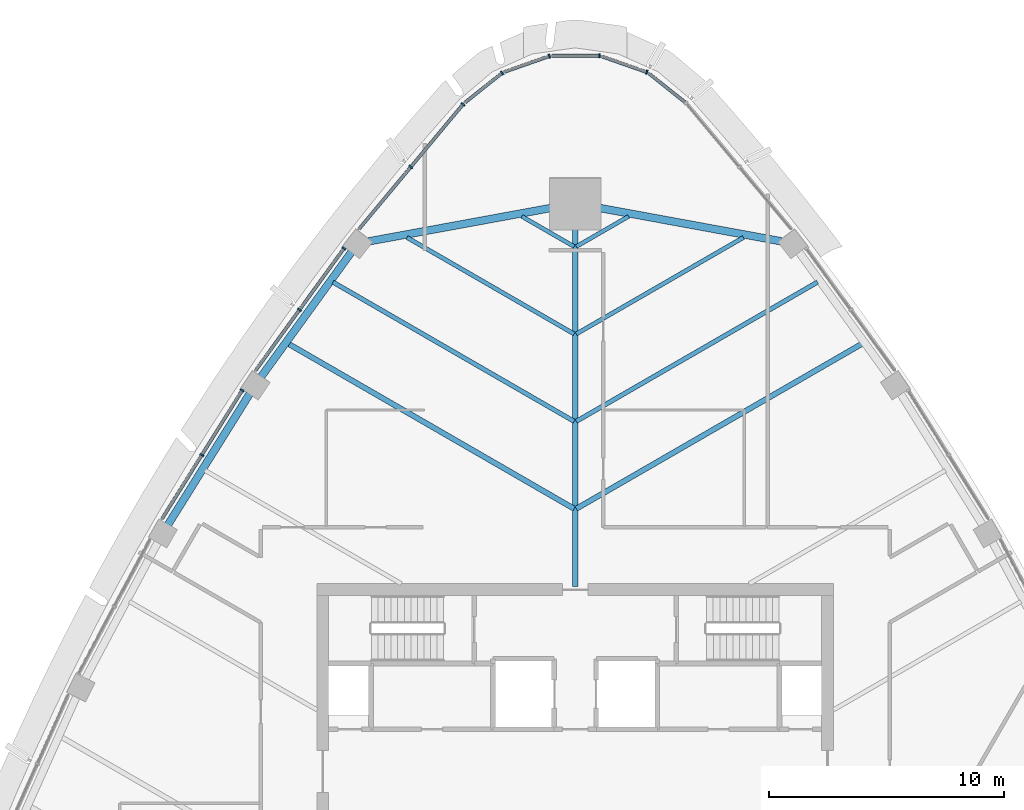
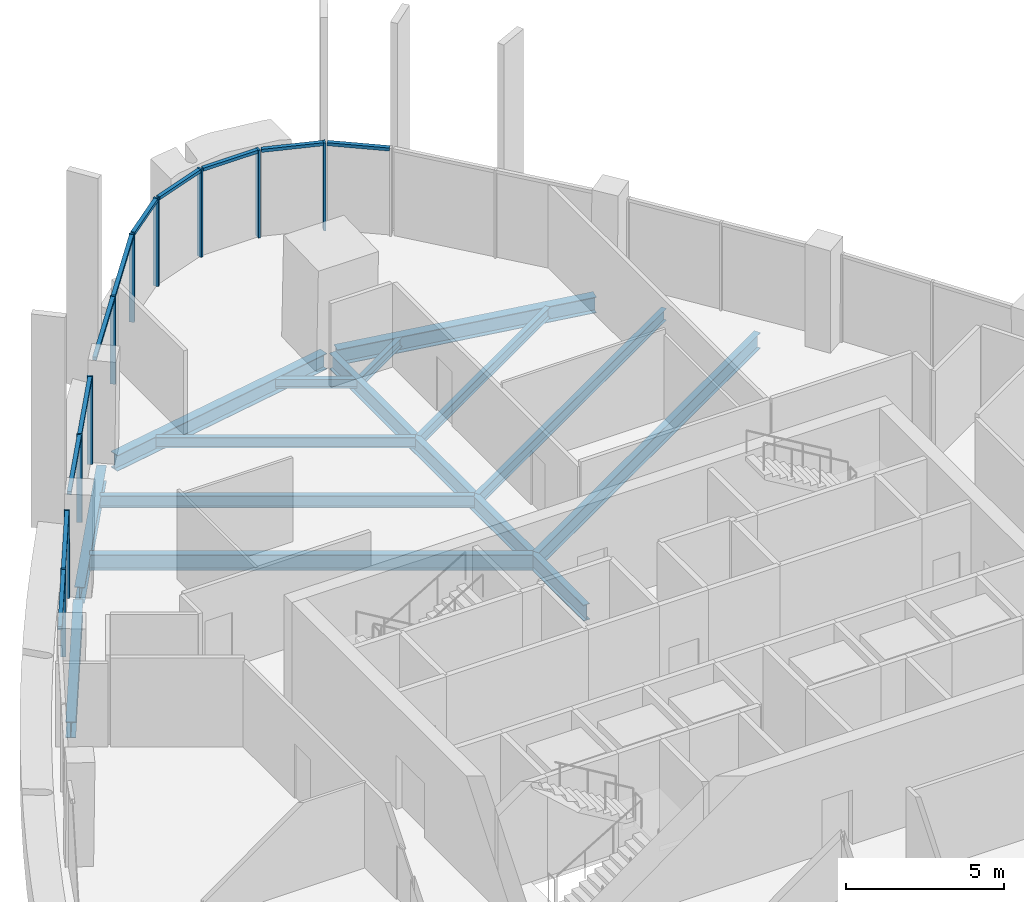
# One storey, part 5 of 18: 21 members, 13 beams, 8 elements without a shape of their own.
"""IFC4 building model written with IfcOpenShell, lengths in metres."""

from ifc_helpers import new_model, si_unit, direction, frame, origin, origin_2d, place, context, subcontext, project, spatial, rectangle, i_section, extrude, material, layer, layer_set, material_profile, profile_set, type_object, element, aggregate, save


model = new_model("IFC4")

# Units and contexts
model_context = context("Model", 3, precision=1e-05, world=origin(), true_north=direction((0.0, 1.0)))
body_context = subcontext(model_context, "Body", "Model", "MODEL_VIEW")
ifc_project = project(units=[si_unit("LENGTHUNIT", "METRE"), si_unit("AREAUNIT", "SQUARE_METRE"), si_unit("VOLUMEUNIT", "CUBIC_METRE"), si_unit("PLANEANGLEUNIT", "RADIAN"), si_unit("MASSUNIT", "GRAM", prefix="KILO")], contexts=[model_context])

# Site, building, storey
site_placement = place(None, origin())
site = spatial("IfcSite", under=ifc_project, at=site_placement, CompositionType="ELEMENT")
building_placement = place(site_placement, origin())
building = spatial("IfcBuilding", under=site, at=building_placement, Name="Sierra Prisma Convention Tower", CompositionType="ELEMENT")
storey_placement = place(building_placement, frame((0.0, 0.0, 279.0)))
storey = spatial("IfcBuildingStorey", under=building, at=storey_placement, Name="L63", CompositionType="ELEMENT", Elevation=279.0)

# Curtain wall, member
ifc_material_1 = material(Name="Aluminium and glass curtain wall", Category="aluminium")
ifc_layer = layer(ifc_material_1, 0.179931640625)
ifc_layer_set = layer_set([ifc_layer], Name="CW-1 Plain shaft curtain wall")
curtain_wall_type = type_object("IfcCurtainWallType", Name="CW-1 Plain shaft curtain wall", PredefinedType="NOTDEFINED", material=ifc_layer_set)
curtain_wall_1_placement = place(storey_placement, origin())
curtain_wall_1 = element("IfcCurtainWall", 1, at=curtain_wall_1_placement, inside=storey, type_object=curtain_wall_type, Name="CW-1 N2 L63", PredefinedType="NOTDEFINED")
ifc_material_2 = material(Name="Aluminium 6063-T6 bronze anodised", Category="aluminium")
ifc_material_profile_1 = material_profile(ifc_material_2, rectangle(XDim=0.179931640625, YDim=0.070068359375, at=origin_2d()), Name="ALU MULLION 70x180")
ifc_profile_set_1 = profile_set([ifc_material_profile_1], Name="Aluminium 6063-T6 bronze anodised")
member_type_1 = type_object("IfcMemberType", Name="CW mullion bronze", PredefinedType="MULLION", material=ifc_profile_set_1)
member_1_placement = place(storey_placement, frame((3.051025390625, 29.792236328125, 0.0), z_axis=(0.0, 0.0, 1.0), x_axis=(-0.330130279833, -0.943935378263, 0.0)))
member_1 = element("IfcMember", 2, at=member_1_placement, type_object=member_type_1, Name="CW-1 mullion N2.1", PredefinedType="MULLION", context=body_context, shape_type="SweptSolid", body=[
    extrude(rectangle(XDim=0.179931640625, YDim=0.070068359375, at=origin_2d()), origin(), (0.0, 0.0, 1.0), 3.39990234375),
])

curtain_wall_2_placement = place(storey_placement, origin())
curtain_wall_2 = element("IfcCurtainWall", 3, at=curtain_wall_2_placement, inside=storey, type_object=curtain_wall_type, Name="CW-1 N3 L63", PredefinedType="NOTDEFINED")
member_2_placement = place(storey_placement, frame((1.032958984375, 30.48583984375, 0.0), z_axis=(0.0, 0.0, 1.0), x_axis=(0.0, -1.0, 0.0)))
member_2 = element("IfcMember", 4, at=member_2_placement, type_object=member_type_1, Name="CW-1 mullion N3.1", PredefinedType="MULLION", context=body_context, shape_type="SweptSolid", body=[
    extrude(rectangle(XDim=0.179931640625, YDim=0.070068359375, at=origin_2d()), origin(), (0.0, 0.0, 1.0), 3.39990234375),
])

curtain_wall_3_placement = place(storey_placement, origin())
curtain_wall_3 = element("IfcCurtainWall", 5, at=curtain_wall_3_placement, inside=storey, type_object=curtain_wall_type, Name="CW-1 N4 L63", PredefinedType="NOTDEFINED")
member_3_placement = place(storey_placement, frame((-1.10107421875, 30.474365234375, 0.0), z_axis=(0.0, 0.0, 1.0), x_axis=(0.330130279833, -0.943935378263, 0.0)))
member_3 = element("IfcMember", 6, at=member_3_placement, type_object=member_type_1, Name="CW-1 mullion N4.1", PredefinedType="MULLION", context=body_context, shape_type="SweptSolid", body=[
    extrude(rectangle(XDim=0.179931640625, YDim=0.070068359375, at=origin_2d()), origin(), (0.0, 0.0, 1.0), 3.39990234375),
])

curtain_wall_4_placement = place(storey_placement, origin())
curtain_wall_4 = element("IfcCurtainWall", 7, at=curtain_wall_4_placement, inside=storey, type_object=curtain_wall_type, Name="CW-1 N5 L63", PredefinedType="NOTDEFINED")
member_4_placement = place(storey_placement, frame((-3.111572265625, 29.7587890625, 0.0), z_axis=(0.0, 0.0, 1.0), x_axis=(0.623243301141, -0.782027996675, 0.0)))
member_4 = element("IfcMember", 8, at=member_4_placement, type_object=member_type_1, Name="CW-1 mullion N5.1", PredefinedType="MULLION", context=body_context, shape_type="SweptSolid", body=[
    extrude(rectangle(XDim=0.179931640625, YDim=0.070068359375, at=origin_2d()), origin(), (0.0, 0.0, 1.0), 3.39990234375),
])

# Curtain wall, members
curtain_wall_5_placement = place(storey_placement, origin())
curtain_wall_5 = element("IfcCurtainWall", 9, at=curtain_wall_5_placement, inside=storey, type_object=curtain_wall_type, Name="CW-1 NW1 L63", PredefinedType="NOTDEFINED")
member_5_placement = place(storey_placement, frame((-4.77685546875, 28.422607421875, 0.0), z_axis=(0.0, 0.0, 1.0), x_axis=(0.767833733204, -0.640649169323, 0.0)))
member_5 = element("IfcMember", 10, at=member_5_placement, type_object=member_type_1, Name="CW-1 mullion NW1.1", PredefinedType="MULLION", context=body_context, shape_type="SweptSolid", body=[
    extrude(rectangle(XDim=0.179931640625, YDim=0.070068359375, at=origin_2d()), origin(), (0.0, 0.0, 1.0), 3.39990234375),
])
member_6_placement = place(storey_placement, frame((-7.003662109375, 25.75390625, 0.0), z_axis=(0.0, 0.0, 1.0), x_axis=(0.767833733204, -0.640649169323, 0.0)))
member_6 = element("IfcMember", 11, at=member_6_placement, type_object=member_type_1, Name="CW-1 mullion NW1.2", PredefinedType="MULLION", context=body_context, shape_type="SweptSolid", body=[
    extrude(rectangle(XDim=0.179931640625, YDim=0.070068359375, at=origin_2d()), origin(), (0.0, 0.0, 1.0), 3.39990234375),
])

curtain_wall_6_placement = place(storey_placement, origin())
curtain_wall_6 = element("IfcCurtainWall", 12, at=curtain_wall_6_placement, inside=storey, type_object=curtain_wall_type, Name="CW-1 NW2 L63", PredefinedType="NOTDEFINED")
member_7_placement = place(storey_placement, frame((-9.851318359375, 22.2841796875, 0.0), z_axis=(0.0, 0.0, 1.0), x_axis=(0.8099992068, -0.586430972053, 0.0)))
member_7 = element("IfcMember", 13, at=member_7_placement, type_object=member_type_1, Name="CW-1 mullion NW2.1", PredefinedType="MULLION", context=body_context, shape_type="SweptSolid", body=[
    extrude(rectangle(XDim=0.179931640625, YDim=0.070068359375, at=origin_2d()), origin(), (0.0, 0.0, 1.0), 3.39990234375),
])
member_8_placement = place(storey_placement, frame((-11.744873046875, 19.6689453125, 0.0), z_axis=(0.0, 0.0, 1.0), x_axis=(0.8099992068, -0.586430972053, 0.0)))
member_8 = element("IfcMember", 14, at=member_8_placement, type_object=member_type_1, Name="CW-1 mullion NW2.2", PredefinedType="MULLION", context=body_context, shape_type="SweptSolid", body=[
    extrude(rectangle(XDim=0.179931640625, YDim=0.070068359375, at=origin_2d()), origin(), (0.0, 0.0, 1.0), 3.39990234375),
])

curtain_wall_7_placement = place(storey_placement, origin())
curtain_wall_7 = element("IfcCurtainWall", 15, at=curtain_wall_7_placement, inside=storey, type_object=curtain_wall_type, Name="CW-1 NW3 L63", PredefinedType="NOTDEFINED")
member_9_placement = place(storey_placement, frame((-14.185791015625, 16.239013671875, 0.0), z_axis=(0.0, 0.0, 1.0), x_axis=(0.848343476665, -0.529446263184, 0.0)))
member_9 = element("IfcMember", 16, at=member_9_placement, type_object=member_type_1, Name="CW-1 mullion NW3.1", PredefinedType="MULLION", context=body_context, shape_type="SweptSolid", body=[
    extrude(rectangle(XDim=0.179931640625, YDim=0.070068359375, at=origin_2d()), origin(), (0.0, 0.0, 1.0), 3.39990234375),
])
member_10_placement = place(storey_placement, frame((-15.90380859375, 13.486328125, 0.0), z_axis=(0.0, 0.0, 1.0), x_axis=(0.848343476665, -0.529446263184, 0.0)))
member_10 = element("IfcMember", 17, at=member_10_placement, type_object=member_type_1, Name="CW-1 mullion NW3.2", PredefinedType="MULLION", context=body_context, shape_type="SweptSolid", body=[
    extrude(rectangle(XDim=0.179931640625, YDim=0.070068359375, at=origin_2d()), origin(), (0.0, 0.0, 1.0), 3.39990234375),
])

# Curtain wall, member
curtain_wall_8_placement = place(storey_placement, origin())
curtain_wall_8 = element("IfcCurtainWall", 18, at=curtain_wall_8_placement, inside=storey, type_object=curtain_wall_type, Name="CW-1 N1 L63", PredefinedType="NOTDEFINED")
ifc_material_3 = material(Name="Aluminium 6063-T6 bronze anodised", Category="aluminium")
ifc_material_profile_2 = material_profile(ifc_material_3, rectangle(XDim=0.139892578125, YDim=0.1201171875, at=origin_2d()), Name="ALU TRANSOM 120x140")
ifc_profile_set_2 = profile_set([ifc_material_profile_2], Name="Aluminium 6063-T6 bronze anodised")
member_type_2 = type_object("IfcMemberType", Name="CW transom bronze", PredefinedType="USERDEFINED", material=ifc_profile_set_2)
member_11_placement = place(storey_placement, frame((4.69970703125, 28.4931640625, 3.340087890625), z_axis=(-0.782025082922, 0.623246957217, 0.0), x_axis=(-0.623246957217, -0.782025082922, 0.0)))
member_11 = element("IfcMember", 19, at=member_11_placement, type_object=member_type_2, Name="CW-1 transom N1.1", ObjectType="TRANSOM", PredefinedType="USERDEFINED", context=body_context, shape_type="SweptSolid", body=[
    extrude(rectangle(XDim=0.139892578125, YDim=0.1201171875, at=origin_2d()), origin(), (0.0, 0.0, 1.0), 1.995849609375),
])
aggregate(curtain_wall_8, [member_11])

# Member
member_12_placement = place(storey_placement, frame((3.01806640625, 29.8037109375, 3.340087890625), z_axis=(-0.94393270434, 0.330137925232, 0.0), x_axis=(-0.330137925232, -0.94393270434, 0.0)))
member_12 = element("IfcMember", 20, at=member_12_placement, type_object=member_type_2, Name="CW-1 transom N2.1", ObjectType="TRANSOM", PredefinedType="USERDEFINED", context=body_context, shape_type="SweptSolid", body=[
    extrude(rectangle(XDim=0.139892578125, YDim=0.1201171875, at=origin_2d()), origin(), (0.0, 0.0, 1.0), 1.995849609375),
])

aggregate(curtain_wall_1, [member_1, member_12])

member_13_placement = place(storey_placement, frame((0.998046875, 30.48583984375, 3.340087890625), z_axis=(-1.0, 0.0, 0.0), x_axis=(0.0, -1.0, 0.0)))
member_13 = element("IfcMember", 21, at=member_13_placement, type_object=member_type_2, Name="CW-1 transom N3.1", ObjectType="TRANSOM", PredefinedType="USERDEFINED", context=body_context, shape_type="SweptSolid", body=[
    extrude(rectangle(XDim=0.139892578125, YDim=0.1201171875, at=origin_2d()), origin(), (0.0, 0.0, 1.0), 1.99609375),
])

aggregate(curtain_wall_2, [member_2, member_13])

member_14_placement = place(storey_placement, frame((-1.134033203125, 30.462646484375, 3.340087890625), z_axis=(-0.94393270434, -0.330137925232, 0.0), x_axis=(0.330137925232, -0.94393270434, 0.0)))
member_14 = element("IfcMember", 22, at=member_14_placement, type_object=member_type_2, Name="CW-1 transom N4.1", ObjectType="TRANSOM", PredefinedType="USERDEFINED", context=body_context, shape_type="SweptSolid", body=[
    extrude(rectangle(XDim=0.139892578125, YDim=0.1201171875, at=origin_2d()), origin(), (0.0, 0.0, 1.0), 1.995849609375),
])

aggregate(curtain_wall_3, [member_3, member_14])

member_15_placement = place(storey_placement, frame((-3.138916015625, 29.737060546875, 3.340087890625), z_axis=(-0.782025082922, -0.623246957217, 0.0), x_axis=(0.623246957217, -0.782025082922, 0.0)))
member_15 = element("IfcMember", 23, at=member_15_placement, type_object=member_type_2, Name="CW-1 transom N5.1", ObjectType="TRANSOM", PredefinedType="USERDEFINED", context=body_context, shape_type="SweptSolid", body=[
    extrude(rectangle(XDim=0.139892578125, YDim=0.1201171875, at=origin_2d()), origin(), (0.0, 0.0, 1.0), 1.995849609375),
])

aggregate(curtain_wall_4, [member_4, member_15])

member_16_placement = place(storey_placement, frame((-4.79931640625, 28.395751953125, 3.340087890625), z_axis=(-0.640656700309, -0.767827449593, 0.0), x_axis=(0.767827449593, -0.640656700309, 0.0)))
member_16 = element("IfcMember", 24, at=member_16_placement, type_object=member_type_2, Name="CW-1 transom NW1.1", ObjectType="TRANSOM", PredefinedType="USERDEFINED", context=body_context, shape_type="SweptSolid", body=[
    extrude(rectangle(XDim=0.139892578125, YDim=0.1201171875, at=origin_2d()), origin(), (0.0, 0.0, 1.0), 3.40576171875),
])

member_17_placement = place(storey_placement, frame((-7.026123046875, 25.726806640625, 3.340087890625), z_axis=(-0.640656700309, -0.767827449593, 0.0), x_axis=(0.767827449593, -0.640656700309, 0.0)))
member_17 = element("IfcMember", 25, at=member_17_placement, type_object=member_type_2, Name="CW-1 transom NW1.2", ObjectType="TRANSOM", PredefinedType="USERDEFINED", context=body_context, shape_type="SweptSolid", body=[
    extrude(rectangle(XDim=0.139892578125, YDim=0.1201171875, at=origin_2d()), origin(), (0.0, 0.0, 1.0), 3.40576171875),
])

aggregate(curtain_wall_5, [member_5, member_6, member_16, member_17])

member_18_placement = place(storey_placement, frame((-9.871826171875, 22.255859375, 3.340087890625), z_axis=(-0.586410148781, -0.810014282224, 0.0), x_axis=(0.810014282224, -0.586410148781, 0.0)))
member_18 = element("IfcMember", 26, at=member_18_placement, type_object=member_type_2, Name="CW-1 transom NW2.1", ObjectType="TRANSOM", PredefinedType="USERDEFINED", context=body_context, shape_type="SweptSolid", body=[
    extrude(rectangle(XDim=0.139892578125, YDim=0.1201171875, at=origin_2d()), origin(), (0.0, 0.0, 1.0), 3.15869140625),
])

member_19_placement = place(storey_placement, frame((-11.765380859375, 19.640380859375, 3.340087890625), z_axis=(-0.586410148781, -0.810014282224, 0.0), x_axis=(0.810014282224, -0.586410148781, 0.0)))
member_19 = element("IfcMember", 27, at=member_19_placement, type_object=member_type_2, Name="CW-1 transom NW2.2", ObjectType="TRANSOM", PredefinedType="USERDEFINED", context=body_context, shape_type="SweptSolid", body=[
    extrude(rectangle(XDim=0.139892578125, YDim=0.1201171875, at=origin_2d()), origin(), (0.0, 0.0, 1.0), 3.15869140625),
])

aggregate(curtain_wall_6, [member_7, member_8, member_18, member_19])

member_20_placement = place(storey_placement, frame((-14.204345703125, 16.209228515625, 3.340087890625), z_axis=(-0.529445849677, -0.848343734733, 0.0), x_axis=(0.848343734733, -0.529445849677, 0.0)))
member_20 = element("IfcMember", 28, at=member_20_placement, type_object=member_type_2, Name="CW-1 transom NW3.1", ObjectType="TRANSOM", PredefinedType="USERDEFINED", context=body_context, shape_type="SweptSolid", body=[
    extrude(rectangle(XDim=0.139892578125, YDim=0.1201171875, at=origin_2d()), origin(), (0.0, 0.0, 1.0), 3.1748046875),
])

member_21_placement = place(storey_placement, frame((-15.92236328125, 13.45654296875, 3.340087890625), z_axis=(-0.529445849677, -0.848343734733, 0.0), x_axis=(0.848343734733, -0.529445849677, 0.0)))
member_21 = element("IfcMember", 29, at=member_21_placement, type_object=member_type_2, Name="CW-1 transom NW3.2", ObjectType="TRANSOM", PredefinedType="USERDEFINED", context=body_context, shape_type="SweptSolid", body=[
    extrude(rectangle(XDim=0.139892578125, YDim=0.1201171875, at=origin_2d()), origin(), (0.0, 0.0, 1.0), 3.1748046875),
])

aggregate(curtain_wall_7, [member_9, member_10, member_20, member_21])

# Beams
ifc_material_4 = material(Name="Steel ASTM A992 Gr 50", Category="steel")
ifc_material_profile_3 = material_profile(ifc_material_4, i_section(OverallWidth=0.172119140625, OverallDepth=0.35791015625, WebThickness=0.0078125, FlangeThickness=0.01318359375, at=origin_2d()), Name="W360x57")
ifc_profile_set_3 = profile_set([ifc_material_profile_3], Name="Steel ASTM A992 Gr 50")
beam_type_1 = type_object("IfcBeamType", Name="Floor joist W360x57", PredefinedType="JOIST", material=ifc_profile_set_3)
for number, where, z_axis, x_axis, name in (
    (30, (2.272705078125, 23.648193359375, -0.3291015625), (-0.866025889145, -0.499999159329, 0.0), (0.499999159329, -0.866025889145, 0.0), "Floor joist L63 NE13"),
    (31, (-2.272705078125, 23.648193359375, -0.3291015625), (0.866025889145, -0.499999159329, 0.0), (0.499999159329, 0.866025889145, 0.0), "Floor joist L63 NW01"),
):
    element("IfcBeam", number, at=place(storey_placement, frame(where, z_axis=z_axis, x_axis=x_axis)), inside=storey, type_object=beam_type_1, Name=name, PredefinedType="JOIST", context=body_context, shape_type="SweptSolid", body=[
        extrude(i_section(OverallWidth=0.172119140625, OverallDepth=0.35791015625, WebThickness=0.0078125, FlangeThickness=0.01318359375, at=origin_2d()), origin(), (0.0, 0.0, 1.0), 2.5712890625),
    ])
ifc_material_5 = material(Name="Steel ASTM A992 Gr 50", Category="steel")
ifc_material_profile_4 = material_profile(ifc_material_5, i_section(OverallWidth=0.177978515625, OverallDepth=0.406982421875, WebThickness=0.0078125, FlangeThickness=0.0126953125, at=origin_2d()), Name="W410x60")
ifc_profile_set_4 = profile_set([ifc_material_profile_4], Name="Steel ASTM A992 Gr 50")
beam_type_2 = type_object("IfcBeamType", Name="Floor joist W410x60", PredefinedType="JOIST", material=ifc_profile_set_4)
for number, where, z_axis, x_axis, name in (
    (32, (7.165771484375, 22.75048828125, -0.353515625), (-0.866028822927, -0.499994077825, 0.0), (0.499994077825, -0.866028822927, 0.0), "Floor joist L63 NE12"),
    (33, (-7.165771484375, 22.75048828125, -0.353515625), (0.866028822927, -0.499994077825, 0.0), (0.499994077825, 0.866028822927, 0.0), "Floor joist L63 NW02"),
):
    element("IfcBeam", number, at=place(storey_placement, frame(where, z_axis=z_axis, x_axis=x_axis)), inside=storey, type_object=beam_type_2, Name=name, PredefinedType="JOIST", context=body_context, shape_type="SweptSolid", body=[
        extrude(i_section(OverallWidth=0.177978515625, OverallDepth=0.406982421875, WebThickness=0.0078125, FlangeThickness=0.0126953125, at=origin_2d()), origin(), (0.0, 0.0, 1.0), 8.22119140625),
    ])
ifc_material_6 = material(Name="Steel ASTM A992 Gr 50", Category="steel")
ifc_material_profile_5 = material_profile(ifc_material_6, i_section(OverallWidth=0.18994140625, OverallDepth=0.45703125, WebThickness=0.009033203125, FlangeThickness=0.014404296875, at=origin_2d()), Name="W460x74")
ifc_profile_set_5 = profile_set([ifc_material_profile_5], Name="Steel ASTM A992 Gr 50")
beam_type_3 = type_object("IfcBeamType", Name="Floor joist W460x74", PredefinedType="JOIST", material=ifc_profile_set_5)
for number, where, z_axis, x_axis, name in (
    (34, (10.319580078125, 20.8486328125, -0.37841796875), (-0.866029651633, -0.499992642438, 0.0), (0.499992642438, -0.866029651633, 0.0), "Floor joist L63 NE11"),
    (35, (-10.319580078125, 20.8486328125, -0.37841796875), (0.866029651633, -0.499992642438, 0.0), (0.499992642438, 0.866029651633, 0.0), "Floor joist L63 NW03"),
):
    element("IfcBeam", number, at=place(storey_placement, frame(where, z_axis=z_axis, x_axis=x_axis)), inside=storey, type_object=beam_type_3, Name=name, PredefinedType="JOIST", context=body_context, shape_type="SweptSolid", body=[
        extrude(i_section(OverallWidth=0.18994140625, OverallDepth=0.45703125, WebThickness=0.009033203125, FlangeThickness=0.014404296875, at=origin_2d()), origin(), (0.0, 0.0, 1.0), 11.863037109375),
    ])
ifc_material_7 = material(Name="Steel ASTM A992 Gr 50", Category="steel")
ifc_material_profile_6 = material_profile(ifc_material_7, i_section(OverallWidth=0.22802734375, OverallDepth=0.60302734375, WebThickness=0.010498046875, FlangeThickness=0.014892578125, at=origin_2d()), Name="W610x101")
ifc_profile_set_6 = profile_set([ifc_material_profile_6], Name="Steel ASTM A992 Gr 50")
beam_type_4 = type_object("IfcBeamType", Name="Floor joist W610x101", PredefinedType="JOIST", material=ifc_profile_set_6)
for number, where, z_axis, x_axis, name in (
    (36, (12.22021484375, 18.223388671875, -0.451416015625), (-0.866026520703, -0.499998065436, 0.0), (0.499998065436, -0.866026520703, 0.0), "Floor joist L63 NE10"),
    (37, (-12.22021484375, 18.223388671875, -0.451416015625), (0.866026520703, -0.499998065436, 0.0), (0.499998065436, 0.866026520703, 0.0), "Floor joist L63 NW04"),
):
    element("IfcBeam", number, at=place(storey_placement, frame(where, z_axis=z_axis, x_axis=x_axis)), inside=storey, type_object=beam_type_4, Name=name, PredefinedType="JOIST", context=body_context, shape_type="SweptSolid", body=[
        extrude(i_section(OverallWidth=0.22802734375, OverallDepth=0.60302734375, WebThickness=0.010498046875, FlangeThickness=0.014892578125, at=origin_2d()), origin(), (0.0, 0.0, 1.0), 14.0576171875),
    ])
ifc_material_8 = material(Name="Steel ASTM A992 Gr 50", Category="steel")
ifc_material_profile_7 = material_profile(ifc_material_8, i_section(OverallWidth=0.22998046875, OverallDepth=0.616943359375, WebThickness=0.01318359375, FlangeThickness=0.022216796875, at=origin_2d()), Name="W610x140")
ifc_profile_set_7 = profile_set([ifc_material_profile_7], Name="Steel ASTM A992 Gr 50")
beam_type_5 = type_object("IfcBeamType", Name="Radial girder W610x140", PredefinedType="BEAM", material=ifc_profile_set_7)
beam_placement = place(storey_placement, frame((0.0, 23.977294921875, -0.45849609375), z_axis=(0.0, -1.0, 0.0), x_axis=(1.0, 0.0, 0.0)))
element("IfcBeam", 38, at=beam_placement, inside=storey, type_object=beam_type_5, Name="Radial girder L63 N", PredefinedType="BEAM", context=body_context, shape_type="SweptSolid", body=[
    extrude(i_section(OverallWidth=0.22998046875, OverallDepth=0.616943359375, WebThickness=0.01318359375, FlangeThickness=0.022216796875, at=origin_2d()), origin(), (0.0, 0.0, 1.0), 16.097412109375),
])
ifc_material_9 = material(Name="Steel ASTM A992 Gr 50", Category="steel")
ifc_material_profile_8 = material_profile(ifc_material_9, i_section(OverallWidth=0.324951171875, OverallDepth=0.615966796875, WebThickness=0.013916015625, FlangeThickness=0.021484375, at=origin_2d()), Name="W610x174")
ifc_profile_set_8 = profile_set([ifc_material_profile_8], Name="Steel ASTM A992 Gr 50")
beam_type_6 = type_object("IfcBeamType", Name="Spandrel beam W610x174", PredefinedType="BEAM", material=ifc_profile_set_8)
for number, where, z_axis, x_axis, name in (
    (39, (8.789794921875, 22.5849609375, -0.4580078125), (-0.983588494385, 0.180426366456, 0.0), (-0.180426366456, -0.983588494385, 0.0), "Spandrel L63-12"),
    (40, (-0.219970703125, 24.156982421875, -0.4580078125), (-0.983588494385, -0.180426366456, 0.0), (0.180426366456, -0.983588494385, 0.0), "Spandrel L63-13"),
):
    element("IfcBeam", number, at=place(storey_placement, frame(where, z_axis=z_axis, x_axis=x_axis)), inside=storey, type_object=beam_type_6, Name=name, PredefinedType="BEAM", context=body_context, shape_type="SweptSolid", body=[
        extrude(i_section(OverallWidth=0.324951171875, OverallDepth=0.615966796875, WebThickness=0.013916015625, FlangeThickness=0.021484375, at=origin_2d()), origin(), (0.0, 0.0, 1.0), 8.712890625),
    ])
for number, where, z_axis, x_axis, name in (
    (41, (-9.45849609375, 22.230224609375, -0.4580078125), (-0.586435763244, -0.809995738007, 0.0), (0.809995738007, -0.586435763244, 0.0), "Spandrel L63-14"),
    (42, (-13.80712890625, 16.18505859375, -0.4580078125), (-0.529455630308, -0.848337630626, 0.0), (0.848337630626, -0.529455630308, 0.0), "Spandrel L63-15"),
):
    element("IfcBeam", number, at=place(storey_placement, frame(where, z_axis=z_axis, x_axis=x_axis)), inside=storey, type_object=beam_type_6, Name=name, PredefinedType="BEAM", context=body_context, shape_type="SweptSolid", body=[
        extrude(i_section(OverallWidth=0.324951171875, OverallDepth=0.615966796875, WebThickness=0.013916015625, FlangeThickness=0.021484375, at=origin_2d()), origin(), (0.0, 0.0, 1.0), 6.787109375),
    ])

save(model, "model.ifc")
